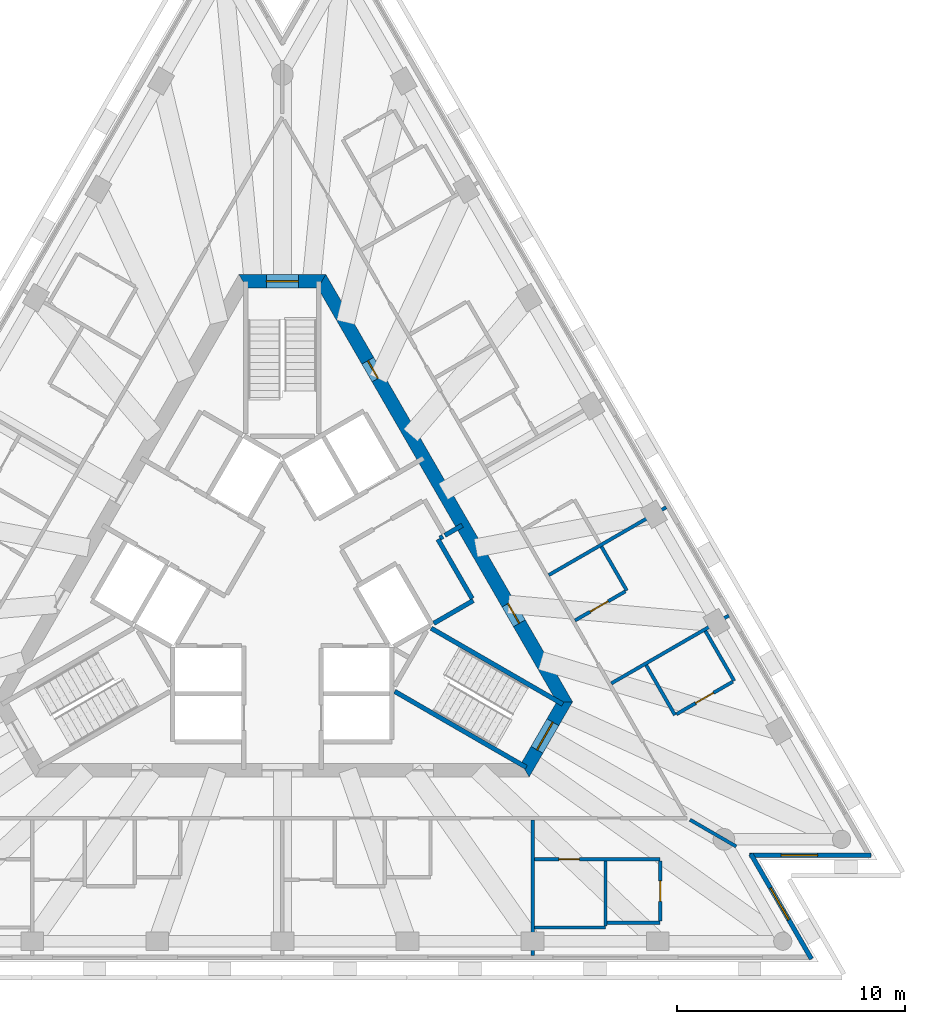
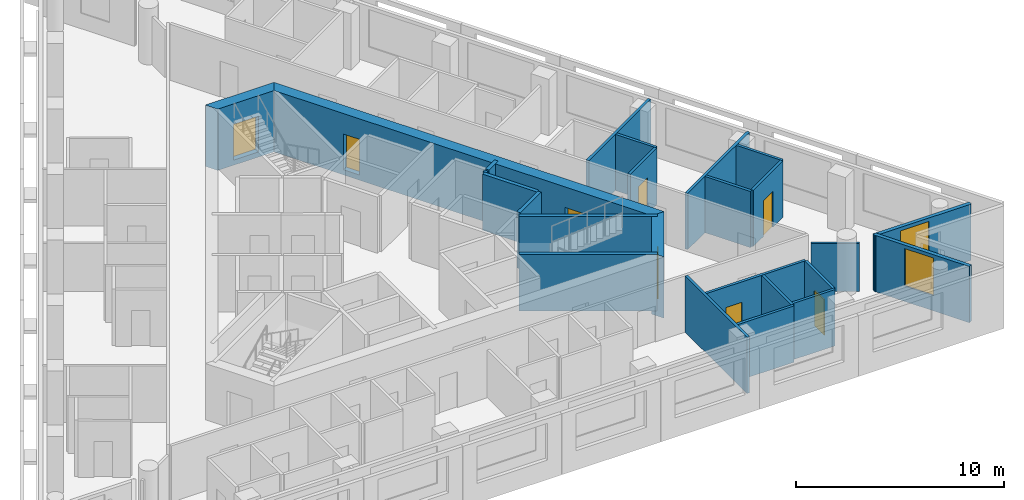
# One storey, part 6 of 9: 25 walls, 8 doors, 2 windows, 10 openings.
"""IFC4 building model written with IfcOpenShell, lengths in metres."""

from ifc_helpers import new_model, si_unit, direction, frame, frame_2d, origin, place, context, subcontext, project, spatial, polyline, rectangle, outline, extrude, material, layer, layer_set, layer_usage, type_object, element, fill, save


model = new_model("IFC4")

# Units and contexts
model_context = context("Model", 3, precision=1e-05, world=origin(), true_north=direction((0.0, 1.0)))
body_context = subcontext(model_context, "Body", "Model", "MODEL_VIEW")
ifc_project = project(units=[si_unit("LENGTHUNIT", "METRE"), si_unit("AREAUNIT", "SQUARE_METRE"), si_unit("VOLUMEUNIT", "CUBIC_METRE"), si_unit("PLANEANGLEUNIT", "RADIAN"), si_unit("MASSUNIT", "GRAM", prefix="KILO")], contexts=[model_context])

# Site, building, storey
site_placement = place(None, origin())
site = spatial("IfcSite", under=ifc_project, at=site_placement, CompositionType="ELEMENT")
building_placement = place(site_placement, origin())
building = spatial("IfcBuilding", under=site, at=building_placement, Name="Triada Interchange Tower", CompositionType="ELEMENT")
storey_placement = place(building_placement, frame((0.0, 0.0, 286.300048828125)))
storey = spatial("IfcBuildingStorey", under=building, at=storey_placement, Name="L67", CompositionType="ELEMENT", Elevation=286.300048828125)

# Walls
ifc_material_1 = material(Name="Concrete C30/37", Category="concrete")
ifc_layer_1 = layer(ifc_material_1, 0.199951171875)
ifc_layer_set_1 = layer_set([ifc_layer_1], Name="CORE WALL 200 EI 120")
wall_type_1 = type_object("IfcWallType", Name="CORE WALL 200 EI 120", PredefinedType="SOLIDWALL", material=ifc_layer_set_1)
wall_1_placement = place(storey_placement, frame((7.12890625, 2.153076171875, 0.0), z_axis=(0.0, 0.0, 1.0), x_axis=(0.866083962871, 0.499898558967, 0.0)))
element("IfcWall", 1, at=wall_1_placement, inside=storey, type_object=wall_type_1, Name="Wall L65 87", PredefinedType="SOLIDWALL", context=body_context, shape_type="SweptSolid", body=[
    extrude(rectangle(XDim=0.880126953125, YDim=0.199951171875, at=frame_2d((0.43994140625, 0.0))), origin(), (0.0, 0.0, 1.0), 3.300048828125),
])
ifc_layer_2 = layer(ifc_material_1, 0.199951171875)
ifc_layer_set_2 = layer_set([ifc_layer_2], Name="CORE WALL 200 EI 90")
wall_type_2 = type_object("IfcWallType", Name="CORE WALL 200 EI 90", PredefinedType="SOLIDWALL", material=ifc_layer_set_2)
wall_2_placement = place(storey_placement, frame((6.64208984375, -1.7080078125, 0.0), z_axis=(0.0, 0.0, 1.0), x_axis=(0.866043441391, 0.499968756647, 0.0)))
element("IfcWall", 2, at=wall_2_placement, inside=storey, type_object=wall_type_2, Name="Wall L65 112", PredefinedType="SOLIDWALL", context=body_context, shape_type="SweptSolid", body=[
    extrude(rectangle(XDim=2.002197265625, YDim=0.199951171875, at=frame_2d((1.0009765625, 0.0))), origin(), (0.0, 0.0, 1.0), 3.300048828125),
])
wall_3_placement = place(storey_placement, frame((6.825927734375, 1.97802734375, 0.0), z_axis=(0.0, 0.0, 1.0), x_axis=(0.499990139034, -0.866031096941, 0.0)))
element("IfcWall", 3, at=wall_3_placement, inside=storey, type_object=wall_type_2, Name="Wall L65 113", PredefinedType="SOLIDWALL", context=body_context, shape_type="SweptSolid", body=[
    extrude(rectangle(XDim=3.0, YDim=0.199951171875, at=frame_2d((1.5, 0.0))), origin(), (0.0, 0.0, 1.0), 3.300048828125),
])
wall_4_placement = place(storey_placement, frame((6.912109375, 2.028076171875, 0.0), z_axis=(0.0, 0.0, 1.0), x_axis=(0.866559367082, 0.499074005857, 0.0)))
element("IfcWall", 4, at=wall_4_placement, inside=storey, type_object=wall_type_2, Name="Wall L65 114", PredefinedType="SOLIDWALL", context=body_context, shape_type="SweptSolid", body=[
    extrude(rectangle(XDim=0.152099609375, YDim=0.199951171875, at=frame_2d((0.076171875, 0.0))), origin(), (0.0, 0.0, 1.0), 3.300048828125),
])
ifc_layer_3 = layer(ifc_material_1, 0.199951171875)
ifc_layer_set_3 = layer_set([ifc_layer_3], Name="CORE WALL 200 REI 240")
wall_type_3 = type_object("IfcWallType", Name="CORE WALL 200 REI 240", PredefinedType="SOLIDWALL", material=ifc_layer_set_3)
wall_5_placement = place(storey_placement, frame((6.529052734375, -1.922119140625, 0.0), z_axis=(0.0, 0.0, 1.0), x_axis=(0.866068467981, -0.499925403204, 0.0)))
element("IfcWall", 5, at=wall_5_placement, inside=storey, type_object=wall_type_3, Name="Wall L65 122", PredefinedType="SOLIDWALL", context=body_context, shape_type="SweptSolid", body=[
    extrude(rectangle(XDim=6.66455078125, YDim=0.199951171875, at=frame_2d((3.332275390625, 0.0))), origin(), (0.0, 0.0, 1.0), 3.300048828125),
])
wall_6_placement = place(storey_placement, frame((4.928955078125, -4.693115234375, 0.0), z_axis=(0.0, 0.0, 1.0), x_axis=(0.866005022404, -0.500035299925, 0.0)))
element("IfcWall", 6, at=wall_6_placement, inside=storey, type_object=wall_type_3, Name="Wall L65 123", PredefinedType="SOLIDWALL", context=body_context, shape_type="SweptSolid", body=[
    extrude(rectangle(XDim=6.6650390625, YDim=0.199951171875, at=frame_2d((3.33251953125, 0.0))), origin(), (0.0, 0.0, 1.0), 3.300048828125),
])

# Wall, opening, door
ifc_material_2 = material(Name="Concrete C40/50", Category="concrete")
ifc_layer_4 = layer(ifc_material_2, 0.60009765625)
ifc_layer_set_4 = layer_set([ifc_layer_4], Name="Core wall D 600")
wall_type_4 = type_object("IfcWallType", Name="Core wall D 600", PredefinedType="SHEAR", material=ifc_layer_set_4)
wall_7_placement = place(storey_placement, frame((1.73193359375, 13.300048828125, -0.300048828125), z_axis=(0.0, 0.0, 1.0), x_axis=(-1.0, 0.0, 0.0)))
wall_7 = element("IfcWall", 7, at=wall_7_placement, inside=storey, type_object=wall_type_4, Name="Core wall WD01 L67", PredefinedType="SHEAR", context=body_context, shape_type="SweptSolid", body=[
    extrude(outline(polyline([(-0.173095703125, -0.300048828125), (1.73193359375, -0.300048828125), (3.636962890625, -0.300048828125), (3.291015625, 0.300048828125), (1.73193359375, 0.300048828125), (0.173095703125, 0.300048828125), (-0.173095703125, -0.300048828125)])), origin(), (0.0, 0.0, 1.0), 3.60009765625),
])
opening_1_placement = place(wall_7_placement, frame((1.031982421875, 0.0, 0.300048828125)))
opening_1 = element("IfcOpeningElement", 8, at=opening_1_placement, cuts=wall_7, Name="Opening D65-49", PredefinedType="OPENING", context=body_context, shape_type="SweptSolid", body=[
    extrude(rectangle(XDim=1.39990234375, YDim=2.10009765625, at=frame_2d((0.699951171875, 1.050048828125))), frame((0.0, 0.31005859375, 0.0), z_axis=(0.0, -1.0, 0.0), x_axis=(1.0, 0.0, 0.0)), (0.0, 0.0, 1.0), 0.6201171875),
])
ifc_material_3 = material(Name="Steel S235 door leaf", Category="steel")
door_type_1 = type_object("IfcDoorType", Name="STAIR DOOR 1400 EI2 90-C5S200", OperationType="DOUBLE_DOOR_SINGLE_SWING", PredefinedType="DOOR", material=ifc_material_3)
door_1_placement = place(opening_1_placement, origin())
door_1 = element("IfcDoor", 9, at=door_1_placement, inside=storey, type_object=door_type_1, Name="Door D65-49 L67", OperationType="DOUBLE_DOOR_SINGLE_SWING", OverallHeight=2.10009765625, OverallWidth=1.39990234375, PredefinedType="DOOR", context=body_context, shape_type="SweptSolid", body=[
    extrude(rectangle(XDim=1.39990234375, YDim=2.10009765625, at=frame_2d((0.699951171875, 1.050048828125))), frame((0.0, 0.02490234375, 0.0), z_axis=(0.0, -1.0, 0.0), x_axis=(1.0, 0.0, 0.0)), (0.0, 0.0, 1.0), 0.050048828125),
])
fill(opening_1, door_1)

wall_8_placement = place(storey_placement, frame((10.652099609375, -8.14990234375, -0.300048828125), z_axis=(0.0, 0.0, 1.0), x_axis=(0.49997462182, 0.866040055388, 0.0)))
wall_8 = element("IfcWall", 10, at=wall_8_placement, inside=storey, type_object=wall_type_4, Name="Core wall WD05 L67", PredefinedType="SHEAR", context=body_context, shape_type="SweptSolid", body=[
    extrude(outline(polyline([(-0.173095703125, -0.300048828125), (1.732421875, -0.300537109375), (3.637939453125, -0.301025390625), (3.291015625, 0.300048828125), (1.73193359375, 0.300048828125), (0.173095703125, 0.300048828125), (-0.173095703125, -0.300048828125)])), origin(), (0.0, 0.0, 1.0), 3.60009765625),
])
opening_2_placement = place(wall_8_placement, frame((1.031982421875, 0.0, 0.300048828125)))
opening_2 = element("IfcOpeningElement", 11, at=opening_2_placement, cuts=wall_8, Name="Opening D65-51", PredefinedType="OPENING", context=body_context, shape_type="SweptSolid", body=[
    extrude(rectangle(XDim=1.39990234375, YDim=2.10009765625, at=frame_2d((0.699951171875, 1.050048828125))), frame((0.0, 0.31005859375, 0.0), z_axis=(0.0, -1.0, 0.0), x_axis=(1.0, 0.0, 0.0)), (0.0, 0.0, 1.0), 0.62109375),
])
door_2_placement = place(opening_2_placement, origin())
door_2 = element("IfcDoor", 12, at=door_2_placement, inside=storey, type_object=door_type_1, Name="Door D65-51 L67", OperationType="DOUBLE_DOOR_SINGLE_SWING", OverallHeight=2.10009765625, OverallWidth=1.39990234375, PredefinedType="DOOR", context=body_context, shape_type="SweptSolid", body=[
    extrude(rectangle(XDim=1.39990234375, YDim=2.10009765625, at=frame_2d((0.699951171875, 1.050048828125))), frame((0.0, 0.02490234375, 0.0), z_axis=(0.0, -1.0, 0.0), x_axis=(1.0, 0.0, 0.0)), (0.0, 0.0, 1.0), 0.050048828125),
])
fill(opening_2, door_2)

# Wall, openings, doors
wall_9_placement = place(storey_placement, frame((12.384033203125, -5.14990234375, -0.300048828125), z_axis=(0.0, 0.0, 1.0), x_axis=(-0.500000539815, 0.866025092122, 0.0)))
wall_9 = element("IfcWall", 13, at=wall_9_placement, inside=storey, type_object=wall_type_4, Name="Core wall WD06 L67", PredefinedType="SHEAR", context=body_context, shape_type="SweptSolid", body=[
    extrude(outline(polyline([(-0.173095703125, -0.301025390625), (1.795166015625, -0.301025390625), (3.76318359375, -0.30078125), (5.7314453125, -0.30078125), (7.69970703125, -0.30078125), (9.66796875, -0.300537109375), (11.635986328125, -0.300537109375), (13.604248046875, -0.30029296875), (15.572509765625, -0.30029296875), (17.540771484375, -0.30029296875), (19.5087890625, -0.300048828125), (21.47705078125, -0.300048828125), (21.131103515625, 0.300048828125), (19.225830078125, 0.300048828125), (17.320556640625, 0.300048828125), (15.415283203125, 0.300048828125), (13.510009765625, 0.300048828125), (11.604736328125, 0.300048828125), (9.699462890625, 0.300048828125), (7.794189453125, 0.300048828125), (5.888916015625, 0.300048828125), (3.983642578125, 0.300048828125), (2.078369140625, 0.300048828125), (0.173095703125, 0.300048828125), (-0.173095703125, -0.301025390625)])), origin(), (0.0, 0.0, 1.0), 3.60009765625),
])
opening_3_placement = place(wall_9_placement, frame((16.3779296875, 0.0, 0.300048828125)))
opening_3 = element("IfcOpeningElement", 14, at=opening_3_placement, cuts=wall_9, Name="Opening D65-55", PredefinedType="OPENING", context=body_context, shape_type="SweptSolid", body=[
    extrude(rectangle(XDim=0.89990234375, YDim=2.10009765625, at=frame_2d((0.449951171875, 1.050048828125))), frame((0.0, 0.31005859375, 0.0), z_axis=(0.0, -1.0, 0.0), x_axis=(1.0, 0.0, 0.0)), (0.0, 0.0, 1.0), 0.62109375),
])
opening_4_placement = place(wall_9_placement, frame((3.97607421875, 0.0, 0.300048828125)))
opening_4 = element("IfcOpeningElement", 15, at=opening_4_placement, cuts=wall_9, Name="Opening D65-57", PredefinedType="OPENING", context=body_context, shape_type="SweptSolid", body=[
    extrude(rectangle(XDim=1.0, YDim=2.10009765625, at=frame_2d((0.5, 1.050048828125))), frame((0.0, 0.31005859375, 0.0), z_axis=(0.0, -1.0, 0.0), x_axis=(1.0, 0.0, 0.0)), (0.0, 0.0, 1.0), 0.62109375),
])
door_type_2 = type_object("IfcDoorType", Name="SERVICE DOOR 1000 EI2 45-C5S200", OperationType="NOTDEFINED", PredefinedType="DOOR", material=ifc_material_3)
door_3_placement = place(opening_4_placement, origin())
door_3 = element("IfcDoor", 16, at=door_3_placement, inside=storey, type_object=door_type_2, Name="Door D65-57 L67", OperationType="SINGLE_SWING_RIGHT", OverallHeight=2.10009765625, OverallWidth=1.0, PredefinedType="DOOR", context=body_context, shape_type="SweptSolid", body=[
    extrude(rectangle(XDim=1.0, YDim=2.10009765625, at=frame_2d((0.5, 1.050048828125))), frame((0.0, 0.02490234375, 0.0), z_axis=(0.0, -1.0, 0.0), x_axis=(1.0, 0.0, 0.0)), (0.0, 0.0, 1.0), 0.050048828125),
])
fill(opening_4, door_3)
door_type_3 = type_object("IfcDoorType", Name="SERVICE DOOR 900 EI2 45-C5S200", OperationType="NOTDEFINED", PredefinedType="DOOR", material=ifc_material_3)
door_4_placement = place(opening_3_placement, origin())
door_4 = element("IfcDoor", 17, at=door_4_placement, inside=storey, type_object=door_type_3, Name="Door D65-55 L67", OperationType="SINGLE_SWING_RIGHT", OverallHeight=2.10009765625, OverallWidth=0.89990234375, PredefinedType="DOOR", context=body_context, shape_type="SweptSolid", body=[
    extrude(rectangle(XDim=0.89990234375, YDim=2.10009765625, at=frame_2d((0.449951171875, 1.050048828125))), frame((0.0, 0.02490234375, 0.0), z_axis=(0.0, -1.0, 0.0), x_axis=(1.0, 0.0, 0.0)), (0.0, 0.0, 1.0), 0.050048828125),
])
fill(opening_3, door_4)

# Wall, opening, window
ifc_material_4 = material(Name="Cement board")
ifc_layer_5 = layer(ifc_material_4, 0.02001953125, Name="Cement board cladding")
ifc_material_5 = material(Name="Sheathing board")
ifc_layer_6 = layer(ifc_material_5, 0.014892578125, Name="Sheathing board")
ifc_material_6 = material(Name="Mineral wool")
ifc_layer_7 = layer(ifc_material_6, 0.14990234375, Name="Mineral wool between steel studs")
ifc_material_7 = material(Name="Gypsum board")
ifc_layer_8 = layer(ifc_material_7, 0.014892578125, Name="Plasterboard lining")
ifc_layer_set_5 = layer_set([ifc_layer_5, ifc_layer_6, ifc_layer_7, ifc_layer_8], Name="External wall 200")
ifc_layer_usage = layer_usage(ifc_layer_set_5, "AXIS2", "POSITIVE", -0.10009765625)
wall_type_5 = type_object("IfcWallType", Name="External wall 200", PredefinedType="ELEMENTEDWALL", material=ifc_layer_set_5)
wall_10_placement = place(storey_placement, frame((23.2099609375, -16.431884765625, 0.0), z_axis=(0.0, 0.0, 1.0), x_axis=(-0.499854840714, 0.866109195318, 0.0)))
wall_10 = element("IfcWall", 18, at=wall_10_placement, inside=storey, type_object=wall_type_5, material=ifc_layer_usage, Name="External wall L67 SE-1", PredefinedType="ELEMENTEDWALL", context=body_context, shape_type="SweptSolid", body=[
    extrude(rectangle(XDim=5.3212890625, YDim=0.199951171875, at=frame_2d((2.66064453125, 0.0))), origin(), (0.0, 0.0, 1.0), 3.300048828125),
])
opening_5_placement = place(wall_10_placement, frame((1.989990234375, 0.0, 0.89990234375)))
opening_5 = element("IfcOpeningElement", 19, at=opening_5_placement, cuts=wall_10, Name="Opening WD19", PredefinedType="OPENING", context=body_context, shape_type="SweptSolid", body=[
    extrude(rectangle(XDim=1.60009765625, YDim=2.199951171875, at=frame_2d((0.800048828125, 1.10009765625))), frame((0.0, 0.10986328125, 0.0), z_axis=(0.0, -1.0, 0.0), x_axis=(1.0, 0.0, 0.0)), (0.0, 0.0, 1.0), 0.219970703125),
])
ifc_material_8 = material(Name="Double glazed aluminium window", Category="aluminium")
window_type = type_object("IfcWindowType", Name="Ribbon window D pocket", PartitioningType="SINGLE_PANEL", PredefinedType="WINDOW", material=ifc_material_8)
window_1_placement = place(opening_5_placement, origin())
window_1 = element("IfcWindow", 20, at=window_1_placement, inside=storey, type_object=window_type, Name="Window L67 SE-1 1", OverallHeight=2.199951171875, OverallWidth=1.60009765625, PartitioningType="SINGLE_PANEL", PredefinedType="WINDOW", context=body_context, shape_type="SweptSolid", body=[
    extrude(rectangle(XDim=1.60009765625, YDim=2.199951171875, at=frame_2d((0.800048828125, 1.10009765625))), frame((0.0, 0.030029296875, 0.0), z_axis=(0.0, -1.0, 0.0), x_axis=(1.0, 0.0, 0.0)), (0.0, 0.0, 1.0), 0.06005859375),
])
fill(opening_5, window_1)

wall_11_placement = place(storey_placement, frame((20.4951171875, -11.884033203125, 0.0), z_axis=(0.0, 0.0, 1.0), x_axis=(1.0, 0.0, 0.0)))
wall_11 = element("IfcWall", 21, at=wall_11_placement, inside=storey, type_object=wall_type_5, material=ifc_layer_usage, Name="External wall L67 SE-2", PredefinedType="ELEMENTEDWALL", context=body_context, shape_type="SweptSolid", body=[
    extrude(rectangle(XDim=5.32080078125, YDim=0.199951171875, at=frame_2d((2.660400390625, 0.0))), origin(), (0.0, 0.0, 1.0), 3.300048828125),
])
opening_6_placement = place(wall_11_placement, frame((1.389892578125, 0.0, 0.89990234375)))
opening_6 = element("IfcOpeningElement", 22, at=opening_6_placement, cuts=wall_11, Name="Opening WD20", PredefinedType="OPENING", context=body_context, shape_type="SweptSolid", body=[
    extrude(rectangle(XDim=1.60009765625, YDim=2.199951171875, at=frame_2d((0.800048828125, 1.10009765625))), frame((0.0, 0.10986328125, 0.0), z_axis=(0.0, -1.0, 0.0), x_axis=(1.0, 0.0, 0.0)), (0.0, 0.0, 1.0), 0.219970703125),
])
window_2_placement = place(opening_6_placement, origin())
window_2 = element("IfcWindow", 23, at=window_2_placement, inside=storey, type_object=window_type, Name="Window L67 SE-2 1", OverallHeight=2.199951171875, OverallWidth=1.60009765625, PartitioningType="SINGLE_PANEL", PredefinedType="WINDOW", context=body_context, shape_type="SweptSolid", body=[
    extrude(rectangle(XDim=1.60009765625, YDim=2.199951171875, at=frame_2d((0.800048828125, 1.10009765625))), frame((0.0, 0.030029296875, 0.0), z_axis=(0.0, -1.0, 0.0), x_axis=(1.0, 0.0, 0.0)), (0.0, 0.0, 1.0), 0.06005859375),
])
fill(opening_6, window_2)

# Walls
ifc_material_9 = material(Name="Gypsum board partition")
ifc_layer_9 = layer(ifc_material_9, 0.14990234375)
ifc_layer_set_6 = layer_set([ifc_layer_9], Name="PARTITION 150 EI 180")
wall_type_6 = type_object("IfcWallType", Name="PARTITION 150 EI 180", PredefinedType="PARTITIONING", material=ifc_layer_set_6)
wall_12_placement = place(storey_placement, frame((17.883056640625, -10.324951171875, 0.0), z_axis=(0.0, 0.0, 1.0), x_axis=(0.865928350888, -0.500168062883, 0.0)))
element("IfcWall", 24, at=wall_12_placement, inside=storey, type_object=wall_type_6, Name="Wall L65 7", PredefinedType="PARTITIONING", context=body_context, shape_type="SweptSolid", body=[
    extrude(rectangle(XDim=2.339599609375, YDim=0.14990234375, at=frame_2d((1.169921875, 0.0))), origin(), (0.0, 0.0, 1.0), 2.800048828125),
])
wall_13_placement = place(storey_placement, frame((10.97607421875, -16.27392578125, 0.0), z_axis=(0.0, 0.0, 1.0), x_axis=(0.0, 1.0, 0.0)))
element("IfcWall", 25, at=wall_13_placement, inside=storey, type_object=wall_type_6, Name="Wall L65 28", PredefinedType="PARTITIONING", context=body_context, shape_type="SweptSolid", body=[
    extrude(rectangle(XDim=5.948974609375, YDim=0.14990234375, at=frame_2d((2.974609375, 0.0))), origin(), (0.0, 0.0, 1.0), 3.300048828125),
])
wall_14_placement = place(storey_placement, frame((11.68603515625, 0.408935546875, 0.0), z_axis=(0.0, 0.0, 1.0), x_axis=(0.865976450533, 0.500084779935, 0.0)))
element("IfcWall", 26, at=wall_14_placement, inside=storey, type_object=wall_type_6, Name="Wall L65 29", PredefinedType="PARTITIONING", context=body_context, shape_type="SweptSolid", body=[
    extrude(rectangle(XDim=5.94921875, YDim=0.14990234375, at=frame_2d((2.974609375, 0.0))), origin(), (0.0, 0.0, 1.0), 3.300048828125),
])
wall_15_placement = place(storey_placement, frame((14.429931640625, -4.343017578125, 0.0), z_axis=(0.0, 0.0, 1.0), x_axis=(0.865986712877, 0.50006700863, 0.0)))
element("IfcWall", 27, at=wall_15_placement, inside=storey, type_object=wall_type_6, Name="Wall L65 30", PredefinedType="PARTITIONING", context=body_context, shape_type="SweptSolid", body=[
    extrude(rectangle(XDim=5.949462890625, YDim=0.14990234375, at=frame_2d((2.974609375, 0.0))), origin(), (0.0, 0.0, 1.0), 3.300048828125),
])

# Wall, opening, door
ifc_layer_10 = layer(ifc_material_9, 0.14990234375)
ifc_layer_set_7 = layer_set([ifc_layer_10], Name="PARTITION 150 EI 90")
wall_type_7 = type_object("IfcWallType", Name="PARTITION 150 EI 90", PredefinedType="PARTITIONING", material=ifc_layer_set_7)
wall_16_placement = place(storey_placement, frame((11.051025390625, -12.050048828125, 0.0), z_axis=(0.0, 0.0, 1.0), x_axis=(1.0, 0.0, 0.0)))
wall_16 = element("IfcWall", 28, at=wall_16_placement, inside=storey, type_object=wall_type_7, Name="Wall L65 40", PredefinedType="PARTITIONING", context=body_context, shape_type="SweptSolid", body=[
    extrude(rectangle(XDim=5.52490234375, YDim=0.14990234375, at=frame_2d((2.762451171875, 0.0))), origin(), (0.0, 0.0, 1.0), 3.300048828125),
])
opening_7_placement = place(wall_16_placement, frame((1.074951171875, 0.0, 0.0)))
opening_7 = element("IfcOpeningElement", 29, at=opening_7_placement, cuts=wall_16, Name="Opening D65-23", PredefinedType="OPENING", context=body_context, shape_type="SweptSolid", body=[
    extrude(rectangle(XDim=0.89990234375, YDim=2.10009765625, at=frame_2d((0.449951171875, 1.050048828125))), frame((0.0, 0.0849609375, 0.0), z_axis=(0.0, -1.0, 0.0), x_axis=(1.0, 0.0, 0.0)), (0.0, 0.0, 1.0), 0.169921875),
])
door_type_4 = type_object("IfcDoorType", Name="ROOM DOOR 900 EI2 45-C5S200", OperationType="NOTDEFINED", PredefinedType="DOOR", material=ifc_material_3)
door_5_placement = place(opening_7_placement, origin())
door_5 = element("IfcDoor", 30, at=door_5_placement, inside=storey, type_object=door_type_4, Name="Door D65-23 L67", OperationType="SINGLE_SWING_RIGHT", OverallHeight=2.10009765625, OverallWidth=0.89990234375, PredefinedType="DOOR", context=body_context, shape_type="SweptSolid", body=[
    extrude(rectangle(XDim=0.89990234375, YDim=2.10009765625, at=frame_2d((0.449951171875, 1.050048828125))), frame((0.0, 0.02490234375, 0.0), z_axis=(0.0, -1.0, 0.0), x_axis=(1.0, 0.0, 0.0)), (0.0, 0.0, 1.0), 0.050048828125),
])
fill(opening_7, door_5)

# Walls
wall_17_placement = place(storey_placement, frame((14.2509765625, -14.85009765625, 0.0), z_axis=(0.0, 0.0, 1.0), x_axis=(1.0, 0.0, 0.0)))
element("IfcWall", 31, at=wall_17_placement, inside=storey, type_object=wall_type_7, Name="Wall L65 43", PredefinedType="PARTITIONING", context=body_context, shape_type="SweptSolid", body=[
    extrude(rectangle(XDim=2.324951171875, YDim=0.14990234375, at=frame_2d((1.16259765625, 0.0))), origin(), (0.0, 0.0, 1.0), 3.300048828125),
])
wall_18_placement = place(storey_placement, frame((11.051025390625, -15.050048828125, 0.0), z_axis=(0.0, 0.0, 1.0), x_axis=(1.0, 0.0, 0.0)))
element("IfcWall", 32, at=wall_18_placement, inside=storey, type_object=wall_type_7, Name="Wall L65 45", PredefinedType="PARTITIONING", context=body_context, shape_type="SweptSolid", body=[
    extrude(rectangle(XDim=3.125, YDim=0.14990234375, at=frame_2d((1.5625, 0.0))), origin(), (0.0, 0.0, 1.0), 3.300048828125),
])
wall_19_placement = place(storey_placement, frame((15.9609375, -3.544921875, 0.0), z_axis=(0.0, 0.0, 1.0), x_axis=(0.499789415832, -0.866146950478, 0.0)))
element("IfcWall", 33, at=wall_19_placement, inside=storey, type_object=wall_type_7, Name="Wall L65 55", PredefinedType="PARTITIONING", context=body_context, shape_type="SweptSolid", body=[
    extrude(rectangle(XDim=2.52490234375, YDim=0.14990234375, at=frame_2d((1.262451171875, 0.0))), origin(), (0.0, 0.0, 1.0), 3.300048828125),
])
wall_20_placement = place(storey_placement, frame((18.55908203125, -2.044921875, 0.0), z_axis=(0.0, 0.0, 1.0), x_axis=(0.500079482444, -0.865979509711, 0.0)))
element("IfcWall", 34, at=wall_20_placement, inside=storey, type_object=wall_type_7, Name="Wall L65 57", PredefinedType="PARTITIONING", context=body_context, shape_type="SweptSolid", body=[
    extrude(rectangle(XDim=2.525390625, YDim=0.14990234375, at=frame_2d((1.2626953125, 0.0))), origin(), (0.0, 0.0, 1.0), 3.300048828125),
])
wall_21_placement = place(storey_placement, frame((13.9970703125, 1.656982421875, 0.0), z_axis=(0.0, 0.0, 1.0), x_axis=(0.499750953666, -0.866169143014, 0.0)))
element("IfcWall", 35, at=wall_21_placement, inside=storey, type_object=wall_type_7, Name="Wall L65 63", PredefinedType="PARTITIONING", context=body_context, shape_type="SweptSolid", body=[
    extrude(rectangle(XDim=2.224853515625, YDim=0.14990234375, at=frame_2d((1.1123046875, 0.0))), origin(), (0.0, 0.0, 1.0), 3.300048828125),
])
wall_22_placement = place(storey_placement, frame((14.176025390625, -14.97509765625, 0.0), z_axis=(0.0, 0.0, 1.0), x_axis=(0.0, 1.0, 0.0)))
element("IfcWall", 36, at=wall_22_placement, inside=storey, type_object=wall_type_7, Name="Wall L65 64", PredefinedType="PARTITIONING", context=body_context, shape_type="SweptSolid", body=[
    extrude(rectangle(XDim=2.85009765625, YDim=0.14990234375, at=frame_2d((1.425048828125, 0.0))), origin(), (0.0, 0.0, 1.0), 3.300048828125),
])

# Wall, opening, door
wall_23_placement = place(storey_placement, frame((12.8359375, -1.58203125, 0.0), z_axis=(0.0, 0.0, 1.0), x_axis=(0.865965520905, 0.500103705848, 0.0)))
wall_23 = element("IfcWall", 37, at=wall_23_placement, inside=storey, type_object=wall_type_7, Name="Wall L65 65", PredefinedType="PARTITIONING", context=body_context, shape_type="SweptSolid", body=[
    extrude(rectangle(XDim=2.5498046875, YDim=0.14990234375, at=frame_2d((1.27490234375, 0.0))), origin(), (0.0, 0.0, 1.0), 3.300048828125),
])
opening_8_placement = place(wall_23_placement, frame((0.77490234375, 0.0, 0.0)))
opening_8 = element("IfcOpeningElement", 38, at=opening_8_placement, cuts=wall_23, Name="Opening D65-28", PredefinedType="OPENING", context=body_context, shape_type="SweptSolid", body=[
    extrude(rectangle(XDim=0.89990234375, YDim=2.10009765625, at=frame_2d((0.449951171875, 1.050048828125))), frame((0.0, 0.0849609375, 0.0), z_axis=(0.0, -1.0, 0.0), x_axis=(1.0, 0.0, 0.0)), (0.0, 0.0, 1.0), 0.169921875),
])
door_6_placement = place(opening_8_placement, origin())
door_6 = element("IfcDoor", 39, at=door_6_placement, inside=storey, type_object=door_type_4, Name="Door D65-28 L67", OperationType="SINGLE_SWING_LEFT", OverallHeight=2.10009765625, OverallWidth=0.89990234375, PredefinedType="DOOR", context=body_context, shape_type="SweptSolid", body=[
    extrude(rectangle(XDim=0.89990234375, YDim=2.10009765625, at=frame_2d((0.449951171875, 1.050048828125))), frame((0.0, 0.02490234375, 0.0), z_axis=(0.0, -1.0, 0.0), x_axis=(1.0, 0.0, 0.0)), (0.0, 0.0, 1.0), 0.050048828125),
])
fill(opening_8, door_6)

wall_24_placement = place(storey_placement, frame((16.575927734375, -14.77490234375, 0.0), z_axis=(0.0, 0.0, 1.0), x_axis=(0.0, 1.0, 0.0)))
wall_24 = element("IfcWall", 40, at=wall_24_placement, inside=storey, type_object=wall_type_7, Name="Wall L65 67", PredefinedType="PARTITIONING", context=body_context, shape_type="SweptSolid", body=[
    extrude(rectangle(XDim=2.64990234375, YDim=0.14990234375, at=frame_2d((1.324951171875, 0.0))), origin(), (0.0, 0.0, 1.0), 3.300048828125),
])
opening_9_placement = place(wall_24_placement, frame((0.875, 0.0, 0.0)))
opening_9 = element("IfcOpeningElement", 41, at=opening_9_placement, cuts=wall_24, Name="Opening D65-24", PredefinedType="OPENING", context=body_context, shape_type="SweptSolid", body=[
    extrude(rectangle(XDim=0.89990234375, YDim=2.10009765625, at=frame_2d((0.449951171875, 1.050048828125))), frame((0.0, 0.0849609375, 0.0), z_axis=(0.0, -1.0, 0.0), x_axis=(1.0, 0.0, 0.0)), (0.0, 0.0, 1.0), 0.169921875),
])
door_7_placement = place(opening_9_placement, origin())
door_7 = element("IfcDoor", 42, at=door_7_placement, inside=storey, type_object=door_type_3, Name="Door D65-24 L67", OperationType="SINGLE_SWING_LEFT", OverallHeight=2.10009765625, OverallWidth=0.89990234375, PredefinedType="DOOR", context=body_context, shape_type="SweptSolid", body=[
    extrude(rectangle(XDim=0.89990234375, YDim=2.10009765625, at=frame_2d((0.449951171875, 1.050048828125))), frame((0.0, 0.02490234375, 0.0), z_axis=(0.0, -1.0, 0.0), x_axis=(1.0, 0.0, 0.0)), (0.0, 0.0, 1.0), 0.050048828125),
])
fill(opening_9, door_7)

wall_25_placement = place(storey_placement, frame((17.2880859375, -5.694091796875, 0.0), z_axis=(0.0, 0.0, 1.0), x_axis=(0.866090043625, 0.499888023795, 0.0)))
wall_25 = element("IfcWall", 43, at=wall_25_placement, inside=storey, type_object=wall_type_7, Name="Wall L65 68", PredefinedType="PARTITIONING", context=body_context, shape_type="SweptSolid", body=[
    extrude(rectangle(XDim=2.850830078125, YDim=0.14990234375, at=frame_2d((1.42529296875, 0.0))), origin(), (0.0, 0.0, 1.0), 3.300048828125),
])
opening_10_placement = place(wall_25_placement, frame((0.97509765625, 0.0, 0.0)))
opening_10 = element("IfcOpeningElement", 44, at=opening_10_placement, cuts=wall_25, Name="Opening D65-26", PredefinedType="OPENING", context=body_context, shape_type="SweptSolid", body=[
    extrude(rectangle(XDim=0.89990234375, YDim=2.10009765625, at=frame_2d((0.449951171875, 1.050048828125))), frame((0.0, 0.0849609375, 0.0), z_axis=(0.0, -1.0, 0.0), x_axis=(1.0, 0.0, 0.0)), (0.0, 0.0, 1.0), 0.169921875),
])
door_8_placement = place(opening_10_placement, origin())
door_8 = element("IfcDoor", 45, at=door_8_placement, inside=storey, type_object=door_type_4, Name="Door D65-26 L67", OperationType="SINGLE_SWING_RIGHT", OverallHeight=2.10009765625, OverallWidth=0.89990234375, PredefinedType="DOOR", context=body_context, shape_type="SweptSolid", body=[
    extrude(rectangle(XDim=0.89990234375, YDim=2.10009765625, at=frame_2d((0.449951171875, 1.050048828125))), frame((0.0, 0.02490234375, 0.0), z_axis=(0.0, -1.0, 0.0), x_axis=(1.0, 0.0, 0.0)), (0.0, 0.0, 1.0), 0.050048828125),
])
fill(opening_10, door_8)

save(model, "model.ifc")
